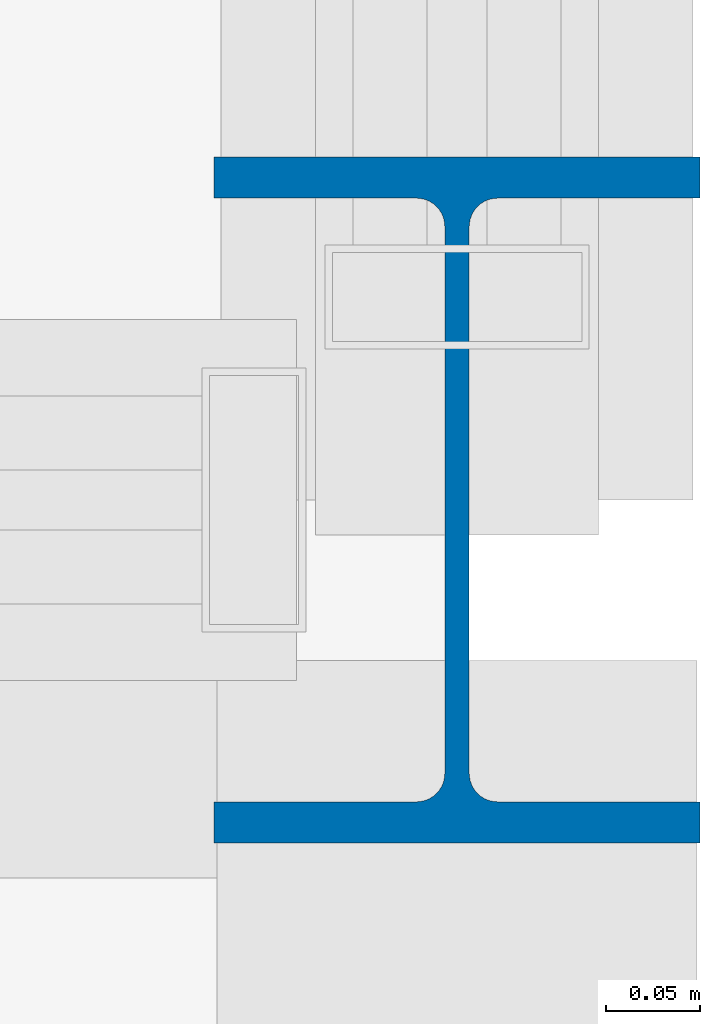
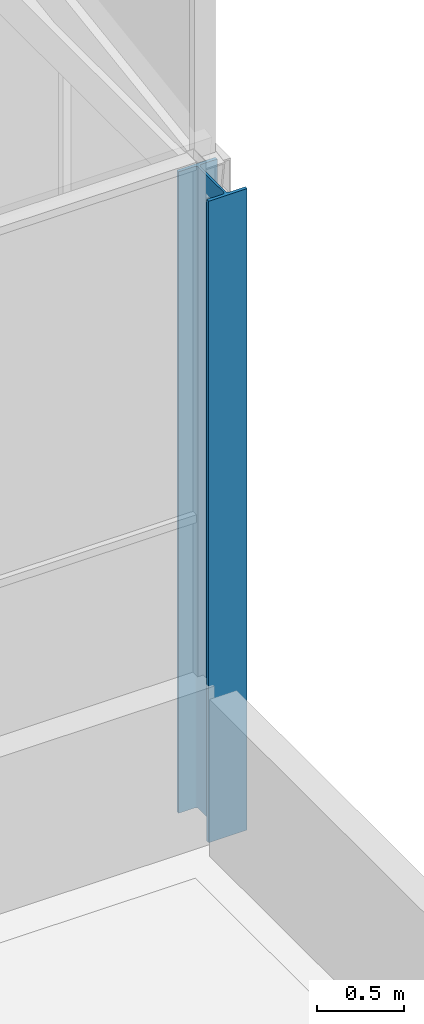
# One storey, part 5 of 104: 1 column.
"""IFC4 building model written with IfcOpenShell, lengths in metres."""

from ifc_helpers import new_model, si_unit, direction, frame, origin, origin_2d, place, context, subcontext, project, spatial, i_section, extrude, material, material_profile, profile_set, type_object, element, save


model = new_model("IFC4")

# Units and contexts
model_context = context("Model", 3, precision=1e-05, world=origin(), true_north=direction((0.0, 1.0)))
body_context = subcontext(model_context, "Body", "Model", "MODEL_VIEW")
ifc_project = project(units=[si_unit("LENGTHUNIT", "METRE"), si_unit("AREAUNIT", "SQUARE_METRE"), si_unit("VOLUMEUNIT", "CUBIC_METRE"), si_unit("PLANEANGLEUNIT", "RADIAN"), si_unit("MASSUNIT", "GRAM", prefix="KILO")], contexts=[model_context])

# Site, building, storey
site_placement = place(None, origin())
site = spatial("IfcSite", under=ifc_project, at=site_placement, CompositionType="ELEMENT")
building_placement = place(site_placement, origin())
building = spatial("IfcBuilding", under=site, at=building_placement, Name="Solvenia Promenade Tram Depot", CompositionType="ELEMENT")
storey_placement = place(building_placement, frame((0.0, 0.0, 9.0)))
storey = spatial("IfcBuildingStorey", under=building, at=storey_placement, Name="L02", CompositionType="ELEMENT", Elevation=9.0)

# Column
ifc_material = material(Name="Structural steel ASTM A992 Gr. 50", Category="steel")
ifc_material_profile = material_profile(ifc_material, i_section(OverallWidth=0.257080078125, OverallDepth=0.363037109375, WebThickness=0.012939453125, FlangeThickness=0.021728515625, FilletRadius=0.014892578125, at=origin_2d()), Name="W360x122", Category="steel")
ifc_profile_set = profile_set([ifc_material_profile], Name="Structural steel ASTM A992 Gr. 50")
column_type = type_object("IfcColumnType", Name="Col-W360x122", PredefinedType="COLUMN", material=ifc_profile_set)
column_placement = place(storey_placement, frame((186.0, 24.0, 0.0), z_axis=(0.0, 0.0, 1.0), x_axis=(1.0, 0.0, 0.0)))
element("IfcColumn", 1, at=column_placement, inside=storey, type_object=column_type, Name="Steel Column COL-L02-362", PredefinedType="COLUMN", context=body_context, shape_type="SweptSolid", body=[
    extrude(i_section(OverallWidth=0.257080078125, OverallDepth=0.363037109375, WebThickness=0.012939453125, FlangeThickness=0.021728515625, FilletRadius=0.014892578125, at=origin_2d()), origin(), (0.0, 0.0, 1.0), 4.5),
])

save(model, "model.ifc")
